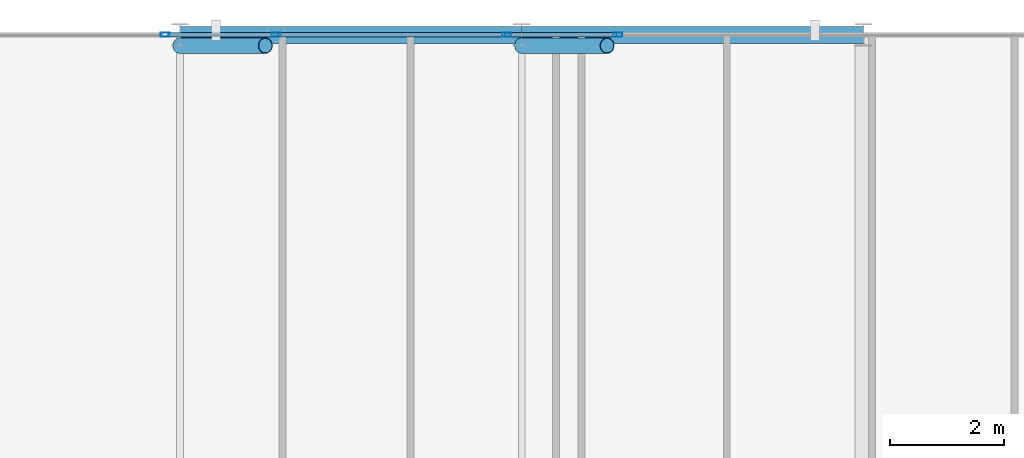
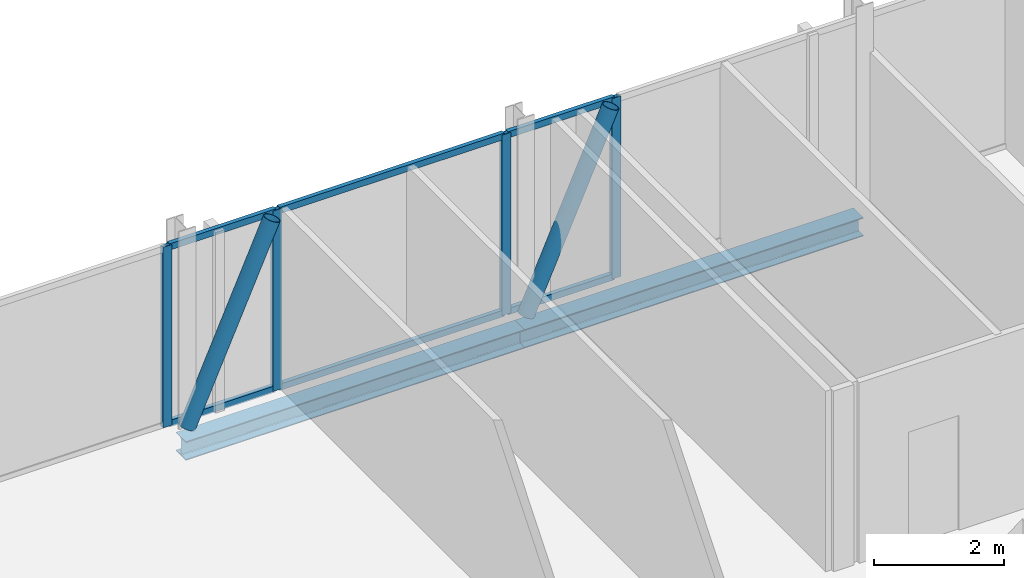
# One storey, part 17 of 27: 12 members, 2 beams, 4 elements without a shape of their own.
"""IFC4 building model written with IfcOpenShell, lengths in metres."""

from ifc_helpers import new_model, si_unit, direction, frame, origin, origin_2d, place, context, subcontext, project, spatial, hollow_rectangle, hollow_circle, i_section, extrude, material, layer, layer_set, material_profile, profile_set, type_object, element, aggregate, save


model = new_model("IFC4")

# Units and contexts
model_context = context("Model", 3, precision=1e-05, world=origin(), true_north=direction((0.0, 1.0)))
body_context = subcontext(model_context, "Body", "Model", "MODEL_VIEW")
ifc_project = project(units=[si_unit("LENGTHUNIT", "METRE"), si_unit("AREAUNIT", "SQUARE_METRE"), si_unit("VOLUMEUNIT", "CUBIC_METRE"), si_unit("PLANEANGLEUNIT", "RADIAN"), si_unit("MASSUNIT", "GRAM", prefix="KILO")], contexts=[model_context])

# Site, building, storey
site_placement = place(None, origin())
site = spatial("IfcSite", under=ifc_project, at=site_placement, CompositionType="ELEMENT")
building_placement = place(site_placement, origin())
building = spatial("IfcBuilding", under=site, at=building_placement, Name="Keshet Zoharim Tower", CompositionType="ELEMENT")
storey_placement = place(building_placement, frame((0.0, 0.0, 295.39990234375)))
storey = spatial("IfcBuildingStorey", under=building, at=storey_placement, Name="L74", CompositionType="ELEMENT", Elevation=295.39990234375)

# Beams
ifc_material_1 = material(Name="Steel S355", Category="steel")
ifc_material_profile_1 = material_profile(ifc_material_1, i_section(OverallWidth=0.300048828125, OverallDepth=0.35009765625, WebThickness=0.010009765625, FlangeThickness=0.017578125, FilletRadius=0.027099609375, at=origin_2d()), Name="HEA360")
ifc_profile_set_1 = profile_set([ifc_material_profile_1], Name="Steel S355")
beam_type = type_object("IfcBeamType", Name="BM-PRI-HA360", PredefinedType="BEAM", material=ifc_profile_set_1)
for number, where, z_axis, x_axis, name in (
    (1, (21.0, 53.89990234375, -0.48486328125), (1.0, 0.0, 0.0), (0.0, 1.0, 0.0), "L74 Primary Girder X-010"),
    (2, (27.0, 53.89990234375, -0.48486328125), (1.0, 0.0, 0.0), (0.0, 1.0, 0.0), "L74 Primary Girder X-011"),
):
    element("IfcBeam", number, at=place(storey_placement, frame(where, z_axis=z_axis, x_axis=x_axis)), inside=storey, type_object=beam_type, Name=name, PredefinedType="BEAM", context=body_context, shape_type="SweptSolid", body=[
        extrude(i_section(OverallWidth=0.300048828125, OverallDepth=0.35009765625, WebThickness=0.010009765625, FlangeThickness=0.017578125, FilletRadius=0.027099609375, at=origin_2d()), origin(), (0.0, 0.0, 1.0), 6.0),
    ])

# Curtain wall, member
ifc_material_2 = material(Name="Aluminium 6063-T6", Category="aluminium")
ifc_layer = layer(ifc_material_2, 0.260009765625)
ifc_layer_set = layer_set([ifc_layer], Name="Aluminium 6063-T6")
curtain_wall_type = type_object("IfcCurtainWallType", Name="CW-SYS-06", PredefinedType="NOTDEFINED", material=ifc_layer_set)
curtain_wall_1_placement = place(storey_placement, origin())
curtain_wall_1 = element("IfcCurtainWall", 3, at=curtain_wall_1_placement, inside=storey, type_object=curtain_wall_type, Name="L74 Unitised Curtain Wall 06", PredefinedType="NOTDEFINED")
ifc_material_profile_2 = material_profile(ifc_material_2, hollow_rectangle(XDim=0.074951171875, YDim=0.159912109375, WallThickness=0.00390625, at=origin_2d()), Name="MUL-75x160")
ifc_profile_set_2 = profile_set([ifc_material_profile_2], Name="Aluminium 6063-T6")
member_type_1 = type_object("IfcMemberType", Name="CWM-M15", PredefinedType="MULLION", material=ifc_profile_set_2)
member_1_placement = place(storey_placement, frame((20.740234375, 53.89990234375, 0.0), z_axis=(0.0, 0.0, 1.0), x_axis=(0.0, 1.0, 0.0)))
member_1 = element("IfcMember", 4, at=member_1_placement, type_object=member_type_1, Name="CW-06 mullion 2", PredefinedType="MULLION", context=body_context, shape_type="SweptSolid", body=[
    extrude(hollow_rectangle(XDim=0.074951171875, YDim=0.159912109375, WallThickness=0.00390625, at=origin_2d()), origin(), (0.0, 0.0, 1.0), 3.380126953125),
])
aggregate(curtain_wall_1, [member_1])

curtain_wall_2_placement = place(storey_placement, origin())
curtain_wall_2 = element("IfcCurtainWall", 5, at=curtain_wall_2_placement, inside=storey, type_object=curtain_wall_type, Name="L74 Unitised Curtain Wall 06 Part 2", PredefinedType="NOTDEFINED")
member_2_placement = place(storey_placement, frame((22.689697265625, 53.89990234375, 0.0), z_axis=(0.0, 0.0, 1.0), x_axis=(0.0, 1.0, 0.0)))
member_2 = element("IfcMember", 6, at=member_2_placement, type_object=member_type_1, Name="CW-06 mullion 2", PredefinedType="MULLION", context=body_context, shape_type="SweptSolid", body=[
    extrude(hollow_rectangle(XDim=0.074951171875, YDim=0.159912109375, WallThickness=0.00390625, at=origin_2d()), origin(), (0.0, 0.0, 1.0), 3.380126953125),
])

curtain_wall_3_placement = place(storey_placement, origin())
curtain_wall_3 = element("IfcCurtainWall", 7, at=curtain_wall_3_placement, inside=storey, type_object=curtain_wall_type, Name="L74 Unitised Curtain Wall 06 Part 3", PredefinedType="NOTDEFINED")
member_3_placement = place(storey_placement, frame((26.740234375, 53.89990234375, 0.0), z_axis=(0.0, 0.0, 1.0), x_axis=(0.0, 1.0, 0.0)))
member_3 = element("IfcMember", 8, at=member_3_placement, type_object=member_type_1, Name="CW-06 mullion 2", PredefinedType="MULLION", context=body_context, shape_type="SweptSolid", body=[
    extrude(hollow_rectangle(XDim=0.074951171875, YDim=0.159912109375, WallThickness=0.00390625, at=origin_2d()), origin(), (0.0, 0.0, 1.0), 3.380126953125),
])

curtain_wall_4_placement = place(storey_placement, origin())
curtain_wall_4 = element("IfcCurtainWall", 9, at=curtain_wall_4_placement, inside=storey, type_object=curtain_wall_type, Name="L74 Unitised Curtain Wall 06 Part 4", PredefinedType="NOTDEFINED")
member_4_placement = place(storey_placement, frame((28.689697265625, 53.89990234375, 0.0), z_axis=(0.0, 0.0, 1.0), x_axis=(0.0, 1.0, 0.0)))
member_4 = element("IfcMember", 10, at=member_4_placement, type_object=member_type_1, Name="CW-06 mullion 2", PredefinedType="MULLION", context=body_context, shape_type="SweptSolid", body=[
    extrude(hollow_rectangle(XDim=0.074951171875, YDim=0.159912109375, WallThickness=0.00390625, at=origin_2d()), origin(), (0.0, 0.0, 1.0), 3.380126953125),
])

# Member
ifc_material_profile_3 = material_profile(ifc_material_2, hollow_rectangle(XDim=0.074951171875, YDim=0.1201171875, WallThickness=0.00390625, at=origin_2d()), Name="TRN-75x120")
ifc_profile_set_3 = profile_set([ifc_material_profile_3], Name="Aluminium 6063-T6")
member_type_2 = type_object("IfcMemberType", Name="CWT-T12", PredefinedType="USERDEFINED", material=ifc_profile_set_3)
member_5_placement = place(storey_placement, frame((20.775146484375, 53.89990234375, 0.03515625), z_axis=(1.0, 0.0, 0.0), x_axis=(0.0, 1.0, 0.0)))
member_5 = element("IfcMember", 11, at=member_5_placement, type_object=member_type_2, Name="CW-06 transom 1.1", ObjectType="TRANSOM", PredefinedType="USERDEFINED", context=body_context, shape_type="SweptSolid", body=[
    extrude(hollow_rectangle(XDim=0.074951171875, YDim=0.1201171875, WallThickness=0.00390625, at=origin_2d()), origin(), (0.0, 0.0, 1.0), 1.879638671875),
])

member_6_placement = place(storey_placement, frame((20.775146484375, 53.89990234375, 3.34521484375), z_axis=(1.0, 0.0, 0.0), x_axis=(0.0, 1.0, 0.0)))
member_6 = element("IfcMember", 12, at=member_6_placement, type_object=member_type_2, Name="CW-06 transom 1.2", ObjectType="TRANSOM", PredefinedType="USERDEFINED", context=body_context, shape_type="SweptSolid", body=[
    extrude(hollow_rectangle(XDim=0.074951171875, YDim=0.1201171875, WallThickness=0.00390625, at=origin_2d()), origin(), (0.0, 0.0, 1.0), 1.879638671875),
])

aggregate(curtain_wall_2, [member_2, member_5, member_6])

member_7_placement = place(storey_placement, frame((22.724853515625, 53.89990234375, 0.03515625), z_axis=(1.0, 0.0, 0.0), x_axis=(0.0, 1.0, 0.0)))
member_7 = element("IfcMember", 13, at=member_7_placement, type_object=member_type_2, Name="CW-06 transom 1.1", ObjectType="TRANSOM", PredefinedType="USERDEFINED", context=body_context, shape_type="SweptSolid", body=[
    extrude(hollow_rectangle(XDim=0.074951171875, YDim=0.1201171875, WallThickness=0.00390625, at=origin_2d()), origin(), (0.0, 0.0, 1.0), 3.980224609375),
])

member_8_placement = place(storey_placement, frame((22.724853515625, 53.89990234375, 3.34521484375), z_axis=(1.0, 0.0, 0.0), x_axis=(0.0, 1.0, 0.0)))
member_8 = element("IfcMember", 14, at=member_8_placement, type_object=member_type_2, Name="CW-06 transom 1.2", ObjectType="TRANSOM", PredefinedType="USERDEFINED", context=body_context, shape_type="SweptSolid", body=[
    extrude(hollow_rectangle(XDim=0.074951171875, YDim=0.1201171875, WallThickness=0.00390625, at=origin_2d()), origin(), (0.0, 0.0, 1.0), 3.980224609375),
])

aggregate(curtain_wall_3, [member_3, member_7, member_8])

member_9_placement = place(storey_placement, frame((26.775146484375, 53.89990234375, 0.03515625), z_axis=(1.0, 0.0, 0.0), x_axis=(0.0, 1.0, 0.0)))
member_9 = element("IfcMember", 15, at=member_9_placement, type_object=member_type_2, Name="CW-06 transom 1.1", ObjectType="TRANSOM", PredefinedType="USERDEFINED", context=body_context, shape_type="SweptSolid", body=[
    extrude(hollow_rectangle(XDim=0.074951171875, YDim=0.1201171875, WallThickness=0.00390625, at=origin_2d()), origin(), (0.0, 0.0, 1.0), 1.879638671875),
])

member_10_placement = place(storey_placement, frame((26.775146484375, 53.89990234375, 3.34521484375), z_axis=(1.0, 0.0, 0.0), x_axis=(0.0, 1.0, 0.0)))
member_10 = element("IfcMember", 16, at=member_10_placement, type_object=member_type_2, Name="CW-06 transom 1.2", ObjectType="TRANSOM", PredefinedType="USERDEFINED", context=body_context, shape_type="SweptSolid", body=[
    extrude(hollow_rectangle(XDim=0.074951171875, YDim=0.1201171875, WallThickness=0.00390625, at=origin_2d()), origin(), (0.0, 0.0, 1.0), 1.879638671875),
])

aggregate(curtain_wall_4, [member_4, member_9, member_10])

# Members
ifc_material_profile_4 = material_profile(ifc_material_1, hollow_circle(Radius=0.136474609375, WallThickness=0.010009765625, at=origin_2d()), Name="CHS273x10")
ifc_profile_set_4 = profile_set([ifc_material_profile_4], Name="Steel S355")
member_type_3 = type_object("IfcMemberType", Name="MB-BR-C273", PredefinedType="BRACE", material=ifc_profile_set_4)
for number, where, z_axis, x_axis, name in (
    (17, (21.0, 53.7099609375, 0.0), (0.405623857875, 0.0, 0.914040089888), (0.0, 1.0, 0.0), "L74 Perimeter Tube Brace 03"),
    (18, (27.0, 53.7099609375, 0.0), (0.405623857875, 0.0, 0.914040089888), (0.0, 1.0, 0.0), "L74 Perimeter Tube Brace 04"),
):
    element("IfcMember", number, at=place(storey_placement, frame(where, z_axis=z_axis, x_axis=x_axis)), inside=storey, type_object=member_type_3, Name=name, PredefinedType="BRACE", context=body_context, shape_type="SweptSolid", body=[
        extrude(hollow_circle(Radius=0.136474609375, WallThickness=0.010009765625, at=origin_2d()), origin(), (0.0, 0.0, 1.0), 3.697998046875),
    ])

save(model, "model.ifc")
